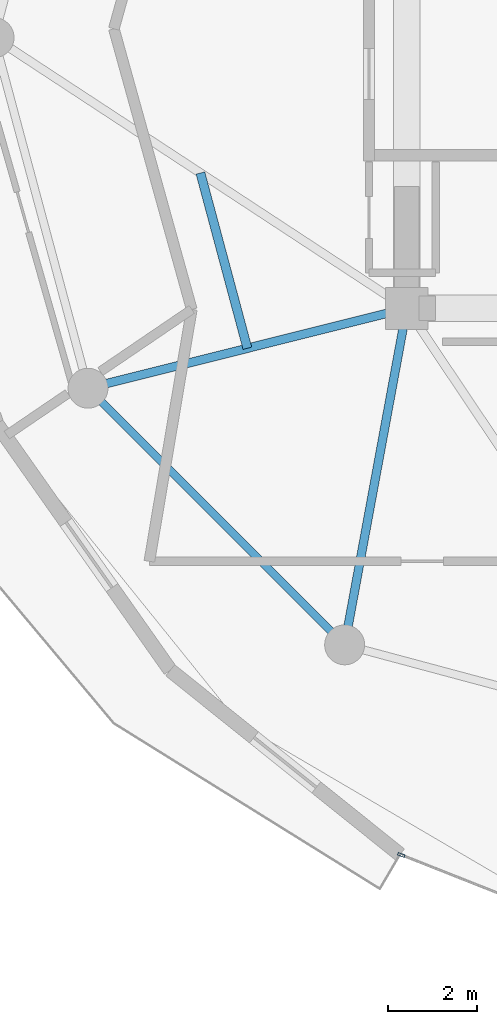
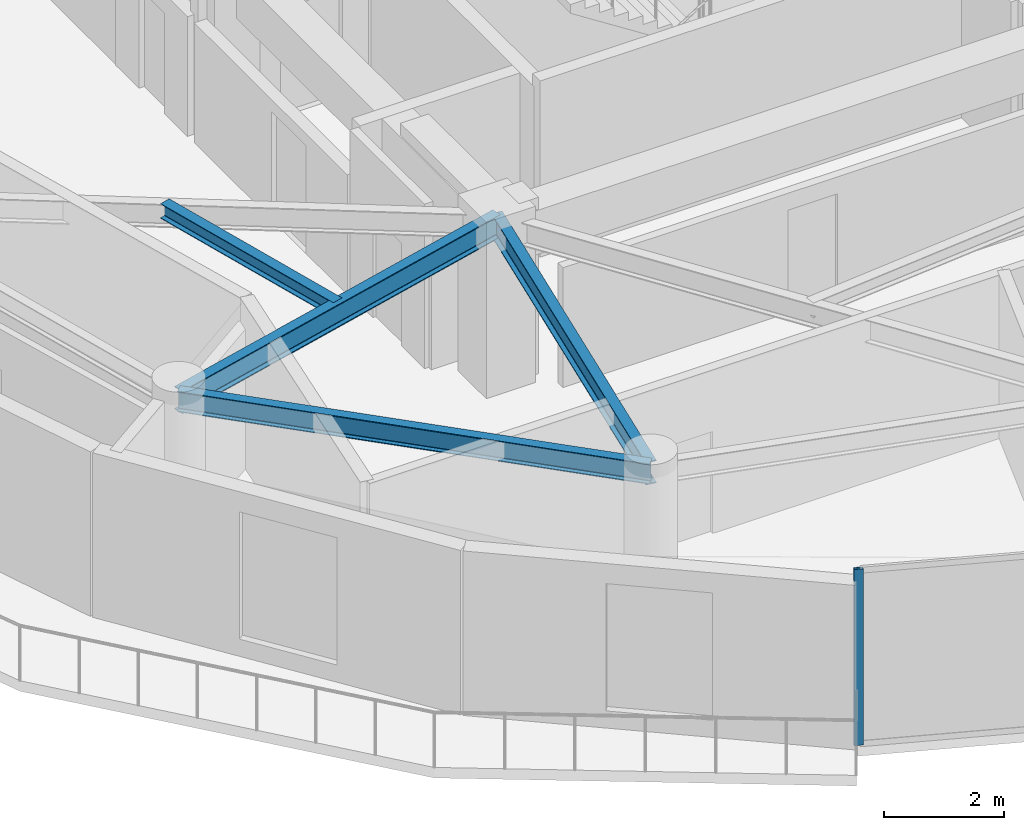
# One storey, part 2 of 18: 4 beams, 1 member, 1 element without a shape of its own.
"""IFC4 building model written with IfcOpenShell, lengths in metres."""

from ifc_helpers import new_model, si_unit, direction, frame, origin, origin_2d, place, context, subcontext, project, spatial, hollow_rectangle, i_section, extrude, source, transform, mapped, material, layer, layer_set, material_profile, profile_set, type_object, element, aggregate, save


model = new_model("IFC4")

# Units and contexts
model_context = context("Model", 3, precision=1e-05, world=origin(), true_north=direction((0.0, 1.0)))
body_context = subcontext(model_context, "Body", "Model", "MODEL_VIEW")
ifc_project = project(units=[si_unit("LENGTHUNIT", "METRE"), si_unit("AREAUNIT", "SQUARE_METRE"), si_unit("VOLUMEUNIT", "CUBIC_METRE"), si_unit("PLANEANGLEUNIT", "RADIAN"), si_unit("MASSUNIT", "GRAM", prefix="KILO")], contexts=[model_context])

# Site, building, storey
site_placement = place(None, origin())
site = spatial("IfcSite", under=ifc_project, at=site_placement, CompositionType="ELEMENT")
building_placement = place(site_placement, origin())
building = spatial("IfcBuilding", under=site, at=building_placement, Name="Solvirekh Grand Hotel", CompositionType="ELEMENT")
storey_placement = place(building_placement, frame((0.0, 0.0, 198.39990234375)))
storey = spatial("IfcBuildingStorey", under=building, at=storey_placement, Name="L51", CompositionType="ELEMENT", Elevation=198.39990234375)

# Beams
ifc_material_1 = material(Name="Steel S355", Category="steel")
ifc_material_profile_1 = material_profile(ifc_material_1, i_section(OverallWidth=0.194091796875, OverallDepth=0.468994140625, WebThickness=0.010986328125, FlangeThickness=0.01904296875, FilletRadius=0.012939453125, at=origin_2d()), Name="W460X106")
ifc_profile_set_1 = profile_set([ifc_material_profile_1], Name="Steel S355")
beam_type_1 = type_object("IfcBeamType", Name="Beam_Radial_W460H", PredefinedType="BEAM", material=ifc_profile_set_1)
beam_1_placement = place(storey_placement, frame((-6.5, -6.10009765625, 3.125), z_axis=(-0.970014367692, -0.243047580675, 0.0), x_axis=(0.243047580675, -0.970014367692, 0.0)))
element("IfcBeam", 1, at=beam_1_placement, inside=storey, type_object=beam_type_1, Name="L51 radial floor beam R08", PredefinedType="BEAM", context=body_context, shape_type="SweptSolid", body=[
    extrude(i_section(OverallWidth=0.194091796875, OverallDepth=0.468994140625, WebThickness=0.010986328125, FlangeThickness=0.01904296875, FilletRadius=0.012939453125, at=origin_2d()), origin(), (0.0, 0.0, 1.0), 7.4052734375),
])
beam_2_placement = place(storey_placement, frame((-6.5, -6.10009765625, 3.125), z_axis=(-0.181542769111, -0.983383049978, 0.0), x_axis=(0.983383049978, -0.181542769111, 0.0)))
element("IfcBeam", 2, at=beam_2_placement, inside=storey, type_object=beam_type_1, Name="L51 radial floor beam R09", PredefinedType="BEAM", context=body_context, shape_type="SweptSolid", body=[
    extrude(i_section(OverallWidth=0.194091796875, OverallDepth=0.468994140625, WebThickness=0.010986328125, FlangeThickness=0.01904296875, FilletRadius=0.012939453125, at=origin_2d()), origin(), (0.0, 0.0, 1.0), 7.711181640625),
])
ifc_material_profile_2 = material_profile(ifc_material_1, i_section(OverallWidth=0.202880859375, OverallDepth=0.302978515625, WebThickness=0.008056640625, FlangeThickness=0.012939453125, FilletRadius=0.010009765625, at=origin_2d()), Name="W310X60")
ifc_profile_set_2 = profile_set([ifc_material_profile_2], Name="Steel S355")
beam_type_2 = type_object("IfcBeamType", Name="Joist_Floor_W310", PredefinedType="JOIST", material=ifc_profile_set_2)
beam_3_placement = place(storey_placement, frame((-11.14990234375, -3.050048828125, 3.2080078125), z_axis=(0.25892209236, -0.965898208968, 0.0), x_axis=(0.965898208968, 0.25892209236, 0.0)))
element("IfcBeam", 3, at=beam_3_placement, inside=storey, type_object=beam_type_2, Name="L51 secondary composite floor joist 7", PredefinedType="JOIST", context=body_context, shape_type="SweptSolid", body=[
    extrude(i_section(OverallWidth=0.202880859375, OverallDepth=0.302978515625, WebThickness=0.008056640625, FlangeThickness=0.012939453125, FilletRadius=0.010009765625, at=origin_2d()), origin(), (0.0, 0.0, 1.0), 4.08935546875),
])
ifc_material_profile_3 = material_profile(ifc_material_1, i_section(OverallWidth=0.180908203125, OverallDepth=0.4169921875, WebThickness=0.010009765625, FlangeThickness=0.01611328125, FilletRadius=0.011962890625, at=origin_2d()), Name="W410X85")
ifc_profile_set_3 = profile_set([ifc_material_profile_3], Name="Steel S355")
beam_type_3 = type_object("IfcBeamType", Name="Spandrel_Ring_W410", PredefinedType="SPANDREL", material=ifc_profile_set_3)
beam_4_placement = place(storey_placement, frame((-13.68310546875, -7.89990234375, 3.152099609375), z_axis=(0.707106781187, -0.707106781187, 0.0), x_axis=(0.707106781187, 0.707106781187, 0.0)))
element("IfcBeam", 4, at=beam_4_placement, inside=storey, type_object=beam_type_3, Name="L51 perimeter spandrel beam 8", PredefinedType="SPANDREL", context=body_context, shape_type="SweptSolid", body=[
    extrude(i_section(OverallWidth=0.180908203125, OverallDepth=0.4169921875, WebThickness=0.010009765625, FlangeThickness=0.01611328125, FilletRadius=0.011962890625, at=origin_2d()), origin(), (0.0, 0.0, 1.0), 8.1787109375),
])

# Curtain wall, member
ifc_material_2 = material(Name="Anodized Bronze Aluminium 6063-T6", Category="aluminium")
ifc_layer = layer(ifc_material_2, 0.159912109375)
ifc_layer_set = layer_set([ifc_layer], Name="Anodized Bronze Aluminium 6063-T6")
curtain_wall_type = type_object("IfcCurtainWallType", Name="CW_Sys4_HighZoneFlushBronzeCW", PredefinedType="NOTDEFINED", material=ifc_layer_set)
curtain_wall_placement = place(storey_placement, origin())
curtain_wall = element("IfcCurtainWall", 5, at=curtain_wall_placement, inside=storey, type_object=curtain_wall_type, Name="L51 unitised bronze-glass curtain wall CW-L51-C18", PredefinedType="NOTDEFINED")
ifc_material_profile_4 = material_profile(ifc_material_2, hollow_rectangle(XDim=0.06005859375, YDim=0.159912109375, WallThickness=0.0048828125, at=origin_2d()), Name="ALU RHS 160X60X5")
ifc_profile_set_4 = profile_set([ifc_material_profile_4], Name="Anodized Bronze Aluminium 6063-T6")
member_type = type_object("IfcMemberType", Name="CWMullion_Sys4", PredefinedType="MULLION", material=ifc_profile_set_4)
shared_shape = source(origin(), body_context, "Body", "SweptSolid", [
    extrude(hollow_rectangle(XDim=0.06005859375, YDim=0.159912109375, WallThickness=0.0048828125, at=origin_2d()), origin(), (0.0, 0.0, 1.0), 3.60009765625),
])
member_placement = place(storey_placement, frame((-6.6240234375, -18.4189453125, 0.0), z_axis=(0.0, 0.0, 1.0), x_axis=(0.367825727559, 0.929894743584, 0.0)))
member = element("IfcMember", 6, at=member_placement, type_object=member_type, Name="U04 mullion 1", PredefinedType="MULLION", context=body_context, shape_type="MappedRepresentation", body=[
    mapped(shared_shape, transform((0.0, 0.0, 0.0), x_axis=(1.0, 0.0, 0.0), y_axis=(0.0, 1.0, 0.0), z_axis=(0.0, 0.0, 1.0), scale=1.0)),
])
aggregate(curtain_wall, [member])

save(model, "model.ifc")
